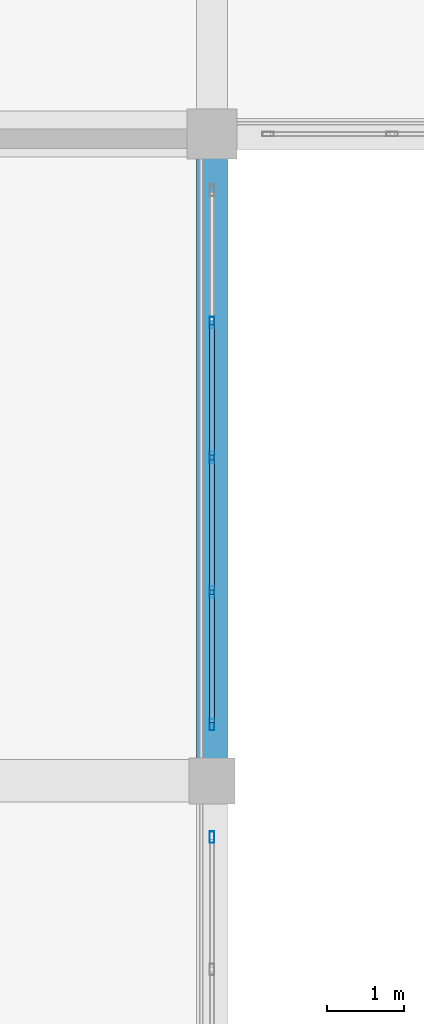
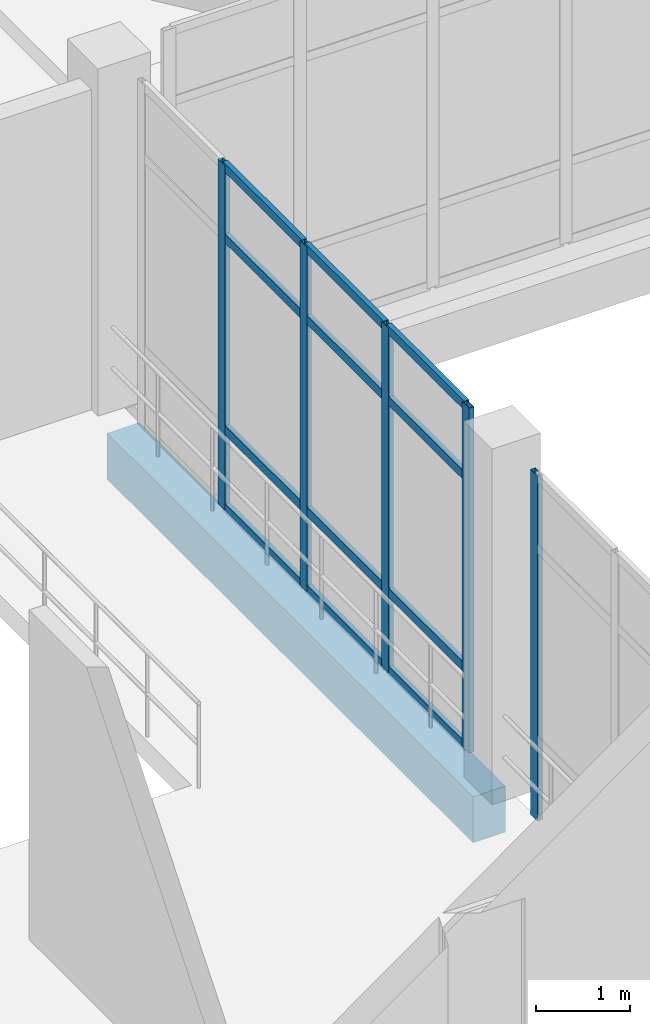
# One storey, part 26 of 88: 17 members, 1 beam, 2 elements without a shape of their own.
"""IFC4 building model written with IfcOpenShell, lengths in metres."""

from ifc_helpers import new_model, si_unit, direction, frame, origin, origin_2d, place, context, subcontext, project, spatial, rectangle, hollow_rectangle, extrude, material, layer, layer_set, material_profile, profile_set, type_object, element, aggregate, save


model = new_model("IFC4")

# Units and contexts
model_context = context("Model", 3, precision=1e-05, world=origin(), true_north=direction((0.0, 1.0)))
body_context = subcontext(model_context, "Body", "Model", "MODEL_VIEW")
ifc_project = project(units=[si_unit("LENGTHUNIT", "METRE"), si_unit("AREAUNIT", "SQUARE_METRE"), si_unit("VOLUMEUNIT", "CUBIC_METRE"), si_unit("PLANEANGLEUNIT", "RADIAN"), si_unit("MASSUNIT", "GRAM", prefix="KILO")], contexts=[model_context])

# Site, building, storey
site_placement = place(None, origin())
site = spatial("IfcSite", under=ifc_project, at=site_placement, CompositionType="ELEMENT")
building_placement = place(site_placement, origin())
building = spatial("IfcBuilding", under=site, at=building_placement, Name="Lornevale Opera House", CompositionType="ELEMENT")
storey_placement = place(building_placement, frame((0.0, 0.0, 10.199951171875)))
storey = spatial("IfcBuildingStorey", under=building, at=storey_placement, Name="L03", CompositionType="ELEMENT", Elevation=10.199951171875)

# Beam
ifc_material_1 = material(Name="Concrete 35 MPa (CSA A23.1 N)", Category="concrete")
ifc_material_profile_1 = material_profile(ifc_material_1, rectangle(XDim=0.39990234375, YDim=0.60009765625, at=origin_2d()), Name="RC400x600")
ifc_profile_set_1 = profile_set([ifc_material_profile_1], Name="Concrete 35 MPa (CSA A23.1 N)")
beam_type = type_object("IfcBeamType", Name="Concrete Spandrel Beam 400x600", PredefinedType="SPANDREL", material=ifc_profile_set_1)
beam_placement = place(storey_placement, frame((67.199951171875, 25.47509765625, -0.579833984375), z_axis=(0.0, 1.0, 0.0), x_axis=(-1.0, 0.0, 0.0)))
element("IfcBeam", 1, at=beam_placement, inside=storey, type_object=beam_type, Name="Concrete Spandrel Beam 400x600 2289", PredefinedType="SPANDREL", context=body_context, shape_type="SweptSolid", body=[
    extrude(rectangle(XDim=0.39990234375, YDim=0.60009765625, at=origin_2d()), origin(), (0.0, 0.0, 1.0), 7.824951171875),
])

# Curtain wall, member
ifc_material_2 = material(Name="Anodized Oxide-Green Aluminium Framing", Category="aluminium")
ifc_layer = layer(ifc_material_2, 0.14990234375)
ifc_layer_set = layer_set([ifc_layer], Name="Anodized Oxide-Green Aluminium Framing")
curtain_wall_type = type_object("IfcCurtainWallType", Name="North-Light Clerestory Curtain Wall M1600", PredefinedType="NOTDEFINED", material=ifc_layer_set)
curtain_wall_1_placement = place(storey_placement, origin())
curtain_wall_1 = element("IfcCurtainWall", 2, at=curtain_wall_1_placement, inside=storey, type_object=curtain_wall_type, Name="North-Light Clerestory Curtain Wall M1600 CW-177", PredefinedType="NOTDEFINED")
ifc_material_profile_2 = material_profile(ifc_material_2, hollow_rectangle(XDim=0.06005859375, YDim=0.14990234375, WallThickness=0.00390625, at=origin_2d()), Name="ALU60x150x4")
ifc_profile_set_2 = profile_set([ifc_material_profile_2], Name="Anodized Oxide-Green Aluminium Framing")
member_type_1 = type_object("IfcMemberType", Name="Curtain Wall Mullion 60x150", PredefinedType="MULLION", material=ifc_profile_set_2)
member_1_placement = place(storey_placement, frame((67.199951171875, 24.469970703125, 0.0), z_axis=(0.0, 0.0, 1.0), x_axis=(-1.0, 0.0, 0.0)))
member_1 = element("IfcMember", 3, at=member_1_placement, type_object=member_type_1, Name="Curtain Wall Mullion 60x150 CW3677", PredefinedType="MULLION", context=body_context, shape_type="SweptSolid", body=[
    extrude(hollow_rectangle(XDim=0.06005859375, YDim=0.14990234375, WallThickness=0.00390625, at=origin_2d()), origin(), (0.0, 0.0, 1.0), 4.5),
])
aggregate(curtain_wall_1, [member_1])

# Curtain wall, members
curtain_wall_2_placement = place(storey_placement, origin())
curtain_wall_2 = element("IfcCurtainWall", 4, at=curtain_wall_2_placement, inside=storey, type_object=curtain_wall_type, Name="North-Light Clerestory Curtain Wall M1600 CW-178", PredefinedType="NOTDEFINED")
member_2_placement = place(storey_placement, frame((67.199951171875, 25.929931640625, 0.0), z_axis=(0.0, 0.0, 1.0), x_axis=(-1.0, 0.0, 0.0)))
member_2 = element("IfcMember", 5, at=member_2_placement, type_object=member_type_1, Name="Curtain Wall Mullion 60x150 CW3706", PredefinedType="MULLION", context=body_context, shape_type="SweptSolid", body=[
    extrude(hollow_rectangle(XDim=0.06005859375, YDim=0.14990234375, WallThickness=0.00390625, at=origin_2d()), origin(), (0.0, 0.0, 1.0), 4.5),
])
member_3_placement = place(storey_placement, frame((67.199951171875, 27.64990234375, 0.0), z_axis=(0.0, 0.0, 1.0), x_axis=(-1.0, 0.0, 0.0)))
member_3 = element("IfcMember", 6, at=member_3_placement, type_object=member_type_1, Name="Curtain Wall Mullion 60x150 CW3707", PredefinedType="MULLION", context=body_context, shape_type="SweptSolid", body=[
    extrude(hollow_rectangle(XDim=0.06005859375, YDim=0.14990234375, WallThickness=0.00390625, at=origin_2d()), origin(), (0.0, 0.0, 1.0), 4.5),
])
member_4_placement = place(storey_placement, frame((67.199951171875, 29.39990234375, 0.0), z_axis=(0.0, 0.0, 1.0), x_axis=(-1.0, 0.0, 0.0)))
member_4 = element("IfcMember", 7, at=member_4_placement, type_object=member_type_1, Name="Curtain Wall Mullion 60x150 CW3708", PredefinedType="MULLION", context=body_context, shape_type="SweptSolid", body=[
    extrude(hollow_rectangle(XDim=0.06005859375, YDim=0.14990234375, WallThickness=0.00390625, at=origin_2d()), origin(), (0.0, 0.0, 1.0), 4.5),
])
member_5_placement = place(storey_placement, frame((67.199951171875, 31.14990234375, 0.0), z_axis=(0.0, 0.0, 1.0), x_axis=(-1.0, 0.0, 0.0)))
member_5 = element("IfcMember", 8, at=member_5_placement, type_object=member_type_1, Name="Curtain Wall Mullion 60x150 CW3709", PredefinedType="MULLION", context=body_context, shape_type="SweptSolid", body=[
    extrude(hollow_rectangle(XDim=0.06005859375, YDim=0.14990234375, WallThickness=0.00390625, at=origin_2d()), origin(), (0.0, 0.0, 1.0), 4.5),
])
ifc_material_profile_3 = material_profile(ifc_material_2, hollow_rectangle(XDim=0.06005859375, YDim=0.114990234375, WallThickness=0.00390625, at=origin_2d()), Name="ALU60x115x4")
ifc_profile_set_3 = profile_set([ifc_material_profile_3], Name="Anodized Oxide-Green Aluminium Framing")
member_type_2 = type_object("IfcMemberType", Name="Curtain Wall Transom 60x115", PredefinedType="USERDEFINED", material=ifc_profile_set_3)
member_6_placement = place(storey_placement, frame((67.199951171875, 25.9599609375, 0.030029296875), z_axis=(0.0, 1.0, 0.0), x_axis=(-1.0, 0.0, 0.0)))
member_6 = element("IfcMember", 9, at=member_6_placement, type_object=member_type_2, Name="Curtain Wall Transom 60x115 CW3711", ObjectType="TRANSOM", PredefinedType="USERDEFINED", context=body_context, shape_type="SweptSolid", body=[
    extrude(hollow_rectangle(XDim=0.06005859375, YDim=0.114990234375, WallThickness=0.00390625, at=origin_2d()), origin(), (0.0, 0.0, 1.0), 1.66015625),
])
member_7_placement = place(storey_placement, frame((67.199951171875, 25.9599609375, 1.050048828125), z_axis=(0.0, 1.0, 0.0), x_axis=(-1.0, 0.0, 0.0)))
member_7 = element("IfcMember", 10, at=member_7_placement, type_object=member_type_2, Name="Curtain Wall Transom 60x115 CW3712", ObjectType="TRANSOM", PredefinedType="USERDEFINED", context=body_context, shape_type="SweptSolid", body=[
    extrude(hollow_rectangle(XDim=0.06005859375, YDim=0.114990234375, WallThickness=0.00390625, at=origin_2d()), origin(), (0.0, 0.0, 1.0), 1.66015625),
])
member_8_placement = place(storey_placement, frame((67.199951171875, 25.9599609375, 3.550048828125), z_axis=(0.0, 1.0, 0.0), x_axis=(-1.0, 0.0, 0.0)))
member_8 = element("IfcMember", 11, at=member_8_placement, type_object=member_type_2, Name="Curtain Wall Transom 60x115 CW3713", ObjectType="TRANSOM", PredefinedType="USERDEFINED", context=body_context, shape_type="SweptSolid", body=[
    extrude(hollow_rectangle(XDim=0.06005859375, YDim=0.114990234375, WallThickness=0.00390625, at=origin_2d()), origin(), (0.0, 0.0, 1.0), 1.66015625),
])
member_9_placement = place(storey_placement, frame((67.199951171875, 25.9599609375, 4.469970703125), z_axis=(0.0, 1.0, 0.0), x_axis=(-1.0, 0.0, 0.0)))
member_9 = element("IfcMember", 12, at=member_9_placement, type_object=member_type_2, Name="Curtain Wall Transom 60x115 CW3714", ObjectType="TRANSOM", PredefinedType="USERDEFINED", context=body_context, shape_type="SweptSolid", body=[
    extrude(hollow_rectangle(XDim=0.06005859375, YDim=0.114990234375, WallThickness=0.00390625, at=origin_2d()), origin(), (0.0, 0.0, 1.0), 1.66015625),
])
member_10_placement = place(storey_placement, frame((67.199951171875, 27.679931640625, 0.030029296875), z_axis=(0.0, 1.0, 0.0), x_axis=(-1.0, 0.0, 0.0)))
member_10 = element("IfcMember", 13, at=member_10_placement, type_object=member_type_2, Name="Curtain Wall Transom 60x115 CW3718", ObjectType="TRANSOM", PredefinedType="USERDEFINED", context=body_context, shape_type="SweptSolid", body=[
    extrude(hollow_rectangle(XDim=0.06005859375, YDim=0.114990234375, WallThickness=0.00390625, at=origin_2d()), origin(), (0.0, 0.0, 1.0), 1.690185546875),
])
member_11_placement = place(storey_placement, frame((67.199951171875, 27.679931640625, 1.050048828125), z_axis=(0.0, 1.0, 0.0), x_axis=(-1.0, 0.0, 0.0)))
member_11 = element("IfcMember", 14, at=member_11_placement, type_object=member_type_2, Name="Curtain Wall Transom 60x115 CW3719", ObjectType="TRANSOM", PredefinedType="USERDEFINED", context=body_context, shape_type="SweptSolid", body=[
    extrude(hollow_rectangle(XDim=0.06005859375, YDim=0.114990234375, WallThickness=0.00390625, at=origin_2d()), origin(), (0.0, 0.0, 1.0), 1.690185546875),
])
member_12_placement = place(storey_placement, frame((67.199951171875, 27.679931640625, 3.550048828125), z_axis=(0.0, 1.0, 0.0), x_axis=(-1.0, 0.0, 0.0)))
member_12 = element("IfcMember", 15, at=member_12_placement, type_object=member_type_2, Name="Curtain Wall Transom 60x115 CW3720", ObjectType="TRANSOM", PredefinedType="USERDEFINED", context=body_context, shape_type="SweptSolid", body=[
    extrude(hollow_rectangle(XDim=0.06005859375, YDim=0.114990234375, WallThickness=0.00390625, at=origin_2d()), origin(), (0.0, 0.0, 1.0), 1.690185546875),
])
member_13_placement = place(storey_placement, frame((67.199951171875, 27.679931640625, 4.469970703125), z_axis=(0.0, 1.0, 0.0), x_axis=(-1.0, 0.0, 0.0)))
member_13 = element("IfcMember", 16, at=member_13_placement, type_object=member_type_2, Name="Curtain Wall Transom 60x115 CW3721", ObjectType="TRANSOM", PredefinedType="USERDEFINED", context=body_context, shape_type="SweptSolid", body=[
    extrude(hollow_rectangle(XDim=0.06005859375, YDim=0.114990234375, WallThickness=0.00390625, at=origin_2d()), origin(), (0.0, 0.0, 1.0), 1.690185546875),
])
member_14_placement = place(storey_placement, frame((67.199951171875, 29.429931640625, 0.030029296875), z_axis=(0.0, 1.0, 0.0), x_axis=(-1.0, 0.0, 0.0)))
member_14 = element("IfcMember", 17, at=member_14_placement, type_object=member_type_2, Name="Curtain Wall Transom 60x115 CW3725", ObjectType="TRANSOM", PredefinedType="USERDEFINED", context=body_context, shape_type="SweptSolid", body=[
    extrude(hollow_rectangle(XDim=0.06005859375, YDim=0.114990234375, WallThickness=0.00390625, at=origin_2d()), origin(), (0.0, 0.0, 1.0), 1.690185546875),
])
member_15_placement = place(storey_placement, frame((67.199951171875, 29.429931640625, 1.050048828125), z_axis=(0.0, 1.0, 0.0), x_axis=(-1.0, 0.0, 0.0)))
member_15 = element("IfcMember", 18, at=member_15_placement, type_object=member_type_2, Name="Curtain Wall Transom 60x115 CW3726", ObjectType="TRANSOM", PredefinedType="USERDEFINED", context=body_context, shape_type="SweptSolid", body=[
    extrude(hollow_rectangle(XDim=0.06005859375, YDim=0.114990234375, WallThickness=0.00390625, at=origin_2d()), origin(), (0.0, 0.0, 1.0), 1.690185546875),
])
member_16_placement = place(storey_placement, frame((67.199951171875, 29.429931640625, 3.550048828125), z_axis=(0.0, 1.0, 0.0), x_axis=(-1.0, 0.0, 0.0)))
member_16 = element("IfcMember", 19, at=member_16_placement, type_object=member_type_2, Name="Curtain Wall Transom 60x115 CW3727", ObjectType="TRANSOM", PredefinedType="USERDEFINED", context=body_context, shape_type="SweptSolid", body=[
    extrude(hollow_rectangle(XDim=0.06005859375, YDim=0.114990234375, WallThickness=0.00390625, at=origin_2d()), origin(), (0.0, 0.0, 1.0), 1.690185546875),
])
member_17_placement = place(storey_placement, frame((67.199951171875, 29.429931640625, 4.469970703125), z_axis=(0.0, 1.0, 0.0), x_axis=(-1.0, 0.0, 0.0)))
member_17 = element("IfcMember", 20, at=member_17_placement, type_object=member_type_2, Name="Curtain Wall Transom 60x115 CW3728", ObjectType="TRANSOM", PredefinedType="USERDEFINED", context=body_context, shape_type="SweptSolid", body=[
    extrude(hollow_rectangle(XDim=0.06005859375, YDim=0.114990234375, WallThickness=0.00390625, at=origin_2d()), origin(), (0.0, 0.0, 1.0), 1.690185546875),
])
aggregate(curtain_wall_2, [member_2, member_3, member_4, member_5, member_6, member_7, member_8, member_9, member_10, member_11, member_12, member_13, member_14, member_15, member_16, member_17])

save(model, "model.ifc")
